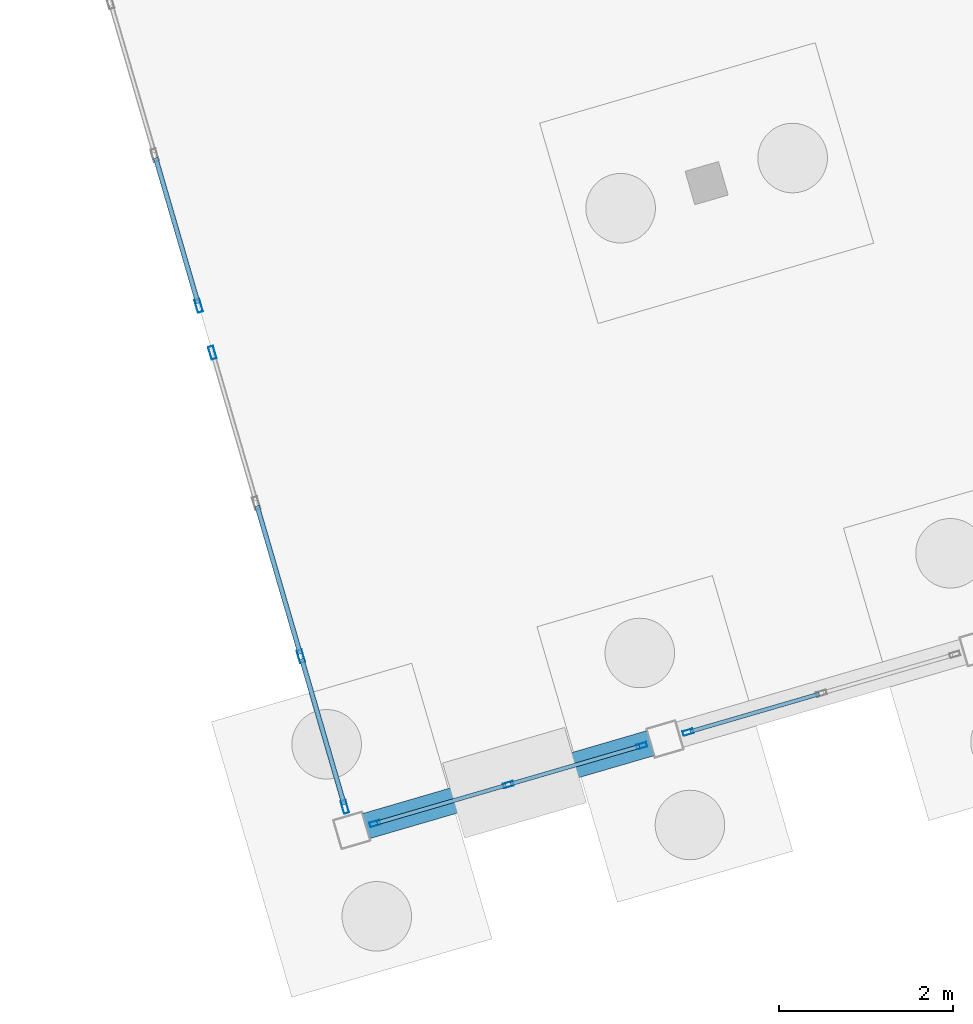
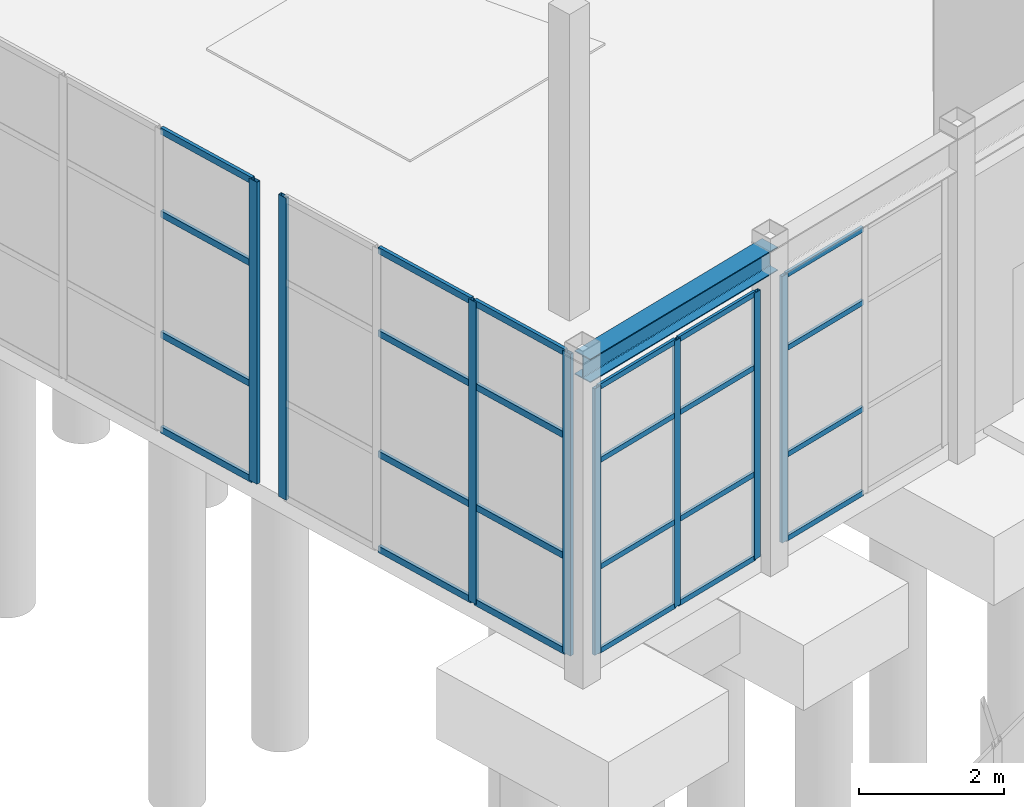
# One storey, part 25 of 90: 32 members, 1 beam, 4 elements without a shape of their own.
"""IFC4 building model written with IfcOpenShell, lengths in metres."""

from ifc_helpers import new_model, si_unit, direction, frame, origin, origin_2d, place, context, subcontext, project, spatial, hollow_rectangle, i_section, extrude, material, layer, layer_set, material_profile, profile_set, type_object, element, aggregate, save


model = new_model("IFC4")

# Units and contexts
model_context = context("Model", 3, precision=1e-05, world=origin(), true_north=direction((0.0, 1.0)))
body_context = subcontext(model_context, "Body", "Model", "MODEL_VIEW")
ifc_project = project(units=[si_unit("LENGTHUNIT", "METRE"), si_unit("AREAUNIT", "SQUARE_METRE"), si_unit("VOLUMEUNIT", "CUBIC_METRE"), si_unit("PLANEANGLEUNIT", "RADIAN"), si_unit("MASSUNIT", "GRAM", prefix="KILO")], contexts=[model_context])

# Site, building, storey
site_placement = place(None, origin())
site = spatial("IfcSite", under=ifc_project, at=site_placement, CompositionType="ELEMENT")
building_placement = place(site_placement, origin())
building = spatial("IfcBuilding", under=site, at=building_placement, Name="Canggui Botanical Conservatory", CompositionType="ELEMENT")
storey_placement = place(building_placement, origin())
storey = spatial("IfcBuildingStorey", under=building, at=storey_placement, Name="L01", CompositionType="ELEMENT", Elevation=0.0)

# Beam
ifc_material_1 = material(Name="Steel Q355B", Category="steel")
ifc_material_profile_1 = material_profile(ifc_material_1, i_section(OverallWidth=0.300048828125, OverallDepth=0.39990234375, WebThickness=0.010009765625, FlangeThickness=0.01611328125, FilletRadius=0.02197265625, at=origin_2d()), Name="HM 400x300x10x16")
ifc_profile_set_1 = profile_set([ifc_material_profile_1], Name="Steel Q355B")
beam_type = type_object("IfcBeamType", Name="BM-GL03", PredefinedType="BEAM", material=ifc_profile_set_1)
beam_placement = place(storey_placement, frame((20.0, 42.0, 4.97509765625), z_axis=(0.959998541695, 0.280004999853, 0.0), x_axis=(-0.280004999853, 0.959998541695, 0.0)))
element("IfcBeam", 1, at=beam_placement, inside=storey, type_object=beam_type, Name="Conservatory Skywalk Perimeter Girder V0-01", PredefinedType="BEAM", context=body_context, shape_type="SweptSolid", body=[
    extrude(i_section(OverallWidth=0.300048828125, OverallDepth=0.39990234375, WebThickness=0.010009765625, FlangeThickness=0.01611328125, FilletRadius=0.02197265625, at=origin_2d()), origin(), (0.0, 0.0, 1.0), 3.75),
])

# Curtain wall, members
ifc_material_2 = material(Name="Thermally Broken Aluminium", Category="aluminium")
ifc_layer_1 = layer(ifc_material_2, 0.14990234375, Name="Thermally Broken Aluminium", Category="aluminium")
ifc_layer_set_1 = layer_set([ifc_layer_1], Name="Thermally Broken Aluminium")
curtain_wall_type_1 = type_object("IfcCurtainWallType", Name="CW-UNIT-C", PredefinedType="USERDEFINED", material=ifc_layer_set_1)
curtain_wall_1_placement = place(storey_placement, origin())
curtain_wall_1 = element("IfcCurtainWall", 2, at=curtain_wall_1_placement, inside=storey, type_object=curtain_wall_type_1, Name="Facade Curtain Wall CW-CONS-GABLE-S-01", ObjectType="UNITISED CURTAIN WALL", PredefinedType="USERDEFINED")
ifc_material_profile_2 = material_profile(ifc_material_2, hollow_rectangle(XDim=0.06005859375, YDim=0.14990234375, WallThickness=0.00341796875, at=origin_2d()), Name="CWM 60x150x3.5")
ifc_profile_set_2 = profile_set([ifc_material_profile_2], Name="Thermally Broken Aluminium")
member_type_1 = type_object("IfcMemberType", Name="CWM-03", PredefinedType="MULLION", material=ifc_profile_set_2)
member_1_placement = place(storey_placement, frame((19.921630859375, 42.268798828125, 0.0), z_axis=(0.0, 0.0, 1.0), x_axis=(-0.960000000002, -0.279999999995, 0.0)))
member_1 = element("IfcMember", 3, at=member_1_placement, type_object=member_type_1, Name="CW-03 mullion 1", PredefinedType="MULLION", context=body_context, shape_type="SweptSolid", body=[
    extrude(hollow_rectangle(XDim=0.06005859375, YDim=0.14990234375, WallThickness=0.00341796875, at=origin_2d()), origin(), (0.0, 0.0, 1.0), 5.10009765625),
])
member_2_placement = place(storey_placement, frame((19.416748046875, 44.0, 0.0), z_axis=(0.0, 0.0, 1.0), x_axis=(-0.960000000002, -0.279999999995, 0.0)))
member_2 = element("IfcMember", 4, at=member_2_placement, type_object=member_type_1, Name="CW-03 mullion 2", PredefinedType="MULLION", context=body_context, shape_type="SweptSolid", body=[
    extrude(hollow_rectangle(XDim=0.06005859375, YDim=0.14990234375, WallThickness=0.00341796875, at=origin_2d()), origin(), (0.0, 0.0, 1.0), 5.10009765625),
])
member_3_placement = place(storey_placement, frame((18.3984375, 47.4912109375, 0.0), z_axis=(0.0, 0.0, 1.0), x_axis=(-0.960000000002, -0.279999999995, 0.0)))
member_3 = element("IfcMember", 5, at=member_3_placement, type_object=member_type_1, Name="CW-03 mullion 4", PredefinedType="MULLION", context=body_context, shape_type="SweptSolid", body=[
    extrude(hollow_rectangle(XDim=0.06005859375, YDim=0.14990234375, WallThickness=0.00341796875, at=origin_2d()), origin(), (0.0, 0.0, 1.0), 5.10009765625),
])

# Curtain wall, member
curtain_wall_2_placement = place(storey_placement, origin())
curtain_wall_2 = element("IfcCurtainWall", 6, at=curtain_wall_2_placement, inside=storey, type_object=curtain_wall_type_1, Name="Facade Curtain Wall CW-CONS-GABLE-S-02", ObjectType="UNITISED CURTAIN WALL", PredefinedType="USERDEFINED")
member_4_placement = place(storey_placement, frame((18.24169921875, 48.02880859375, 0.0), z_axis=(0.0, 0.0, 1.0), x_axis=(-0.960000000002, -0.279999999995, 0.0)))
member_4 = element("IfcMember", 7, at=member_4_placement, type_object=member_type_1, Name="CW-03 mullion 1", PredefinedType="MULLION", context=body_context, shape_type="SweptSolid", body=[
    extrude(hollow_rectangle(XDim=0.06005859375, YDim=0.14990234375, WallThickness=0.00341796875, at=origin_2d()), origin(), (0.0, 0.0, 1.0), 5.10009765625),
])

# Curtain wall, members
ifc_layer_2 = layer(ifc_material_2, 0.1201171875, Name="Thermally Broken Aluminium", Category="aluminium")
ifc_layer_set_2 = layer_set([ifc_layer_2], Name="Thermally Broken Aluminium")
curtain_wall_type_2 = type_object("IfcCurtainWallType", Name="CW-STICK-B", PredefinedType="USERDEFINED", material=ifc_layer_set_2)
curtain_wall_3_placement = place(storey_placement, origin())
curtain_wall_3 = element("IfcCurtainWall", 8, at=curtain_wall_3_placement, inside=storey, type_object=curtain_wall_type_2, Name="Facade Curtain Wall CW-CONS-L01-V0-01", ObjectType="STICK GLAZED WALL", PredefinedType="USERDEFINED")
ifc_material_profile_3 = material_profile(ifc_material_2, hollow_rectangle(XDim=0.054931640625, YDim=0.1201171875, WallThickness=0.0029296875, at=origin_2d()), Name="CWM 55x120x3")
ifc_profile_set_3 = profile_set([ifc_material_profile_3], Name="Thermally Broken Aluminium")
member_type_2 = type_object("IfcMemberType", Name="CWM-05", PredefinedType="MULLION", material=ifc_profile_set_3)
member_5_placement = place(storey_placement, frame((23.33349609375, 42.972412109375, 0.0), z_axis=(0.0, 0.0, 1.0), x_axis=(0.279999999995, -0.960000000002, 0.0)))
member_5 = element("IfcMember", 9, at=member_5_placement, type_object=member_type_2, Name="CW-05 mullion 1", PredefinedType="MULLION", context=body_context, shape_type="SweptSolid", body=[
    extrude(hollow_rectangle(XDim=0.054931640625, YDim=0.1201171875, WallThickness=0.0029296875, at=origin_2d()), origin(), (0.0, 0.0, 1.0), 4.5),
])
member_6_placement = place(storey_placement, frame((21.800048828125, 42.52490234375, 0.0), z_axis=(0.0, 0.0, 1.0), x_axis=(0.279999999995, -0.960000000002, 0.0)))
member_6 = element("IfcMember", 10, at=member_6_placement, type_object=member_type_2, Name="CW-05 mullion 2", PredefinedType="MULLION", context=body_context, shape_type="SweptSolid", body=[
    extrude(hollow_rectangle(XDim=0.054931640625, YDim=0.1201171875, WallThickness=0.0029296875, at=origin_2d()), origin(), (0.0, 0.0, 1.0), 4.5),
])
member_7_placement = place(storey_placement, frame((20.266357421875, 42.07763671875, 0.0), z_axis=(0.0, 0.0, 1.0), x_axis=(0.279999999995, -0.960000000002, 0.0)))
member_7 = element("IfcMember", 11, at=member_7_placement, type_object=member_type_2, Name="CW-05 mullion 3", PredefinedType="MULLION", context=body_context, shape_type="SweptSolid", body=[
    extrude(hollow_rectangle(XDim=0.054931640625, YDim=0.1201171875, WallThickness=0.0029296875, at=origin_2d()), origin(), (0.0, 0.0, 1.0), 4.5),
])

# Curtain wall, member
curtain_wall_4_placement = place(storey_placement, origin())
curtain_wall_4 = element("IfcCurtainWall", 12, at=curtain_wall_4_placement, inside=storey, type_object=curtain_wall_type_2, Name="Facade Curtain Wall CW-CONS-L01-V0-02", ObjectType="STICK GLAZED WALL", PredefinedType="USERDEFINED")
member_8_placement = place(storey_placement, frame((23.866455078125, 43.127685546875, 0.0), z_axis=(0.0, 0.0, 1.0), x_axis=(0.279999999995, -0.960000000002, 0.0)))
member_8 = element("IfcMember", 13, at=member_8_placement, type_object=member_type_2, Name="CW-05 mullion 3", PredefinedType="MULLION", context=body_context, shape_type="SweptSolid", body=[
    extrude(hollow_rectangle(XDim=0.054931640625, YDim=0.1201171875, WallThickness=0.0029296875, at=origin_2d()), origin(), (0.0, 0.0, 1.0), 4.5),
])

# Member
ifc_material_profile_4 = material_profile(ifc_material_2, hollow_rectangle(XDim=0.054931640625, YDim=0.110107421875, WallThickness=0.0029296875, at=origin_2d()), Name="CWT 55x110x3")
ifc_profile_set_4 = profile_set([ifc_material_profile_4], Name="Thermally Broken Aluminium")
member_type_3 = type_object("IfcMemberType", Name="CWT-03", PredefinedType="USERDEFINED", material=ifc_profile_set_4)
member_9_placement = place(storey_placement, frame((19.9130859375, 42.297607421875, 0.027587890625), z_axis=(-0.279951599808, 0.960014115399, 0.0), x_axis=(-0.960014115399, -0.279951599808, 0.0)))
member_9 = element("IfcMember", 14, at=member_9_placement, type_object=member_type_3, Name="CW-03 transom 1.1", ObjectType="TRANSOM", PredefinedType="USERDEFINED", context=body_context, shape_type="SweptSolid", body=[
    extrude(hollow_rectangle(XDim=0.054931640625, YDim=0.110107421875, WallThickness=0.0029296875, at=origin_2d()), origin(), (0.0, 0.0, 1.0), 1.743408203125),
])

member_10_placement = place(storey_placement, frame((19.9130859375, 42.297607421875, 1.632080078125), z_axis=(-0.279951599808, 0.960014115399, 0.0), x_axis=(-0.960014115399, -0.279951599808, 0.0)))
member_10 = element("IfcMember", 15, at=member_10_placement, type_object=member_type_3, Name="CW-03 transom 1.2", ObjectType="TRANSOM", PredefinedType="USERDEFINED", context=body_context, shape_type="SweptSolid", body=[
    extrude(hollow_rectangle(XDim=0.054931640625, YDim=0.110107421875, WallThickness=0.0029296875, at=origin_2d()), origin(), (0.0, 0.0, 1.0), 1.743408203125),
])

member_11_placement = place(storey_placement, frame((19.9130859375, 42.297607421875, 3.672119140625), z_axis=(-0.279951599808, 0.960014115399, 0.0), x_axis=(-0.960014115399, -0.279951599808, 0.0)))
member_11 = element("IfcMember", 16, at=member_11_placement, type_object=member_type_3, Name="CW-03 transom 1.3", ObjectType="TRANSOM", PredefinedType="USERDEFINED", context=body_context, shape_type="SweptSolid", body=[
    extrude(hollow_rectangle(XDim=0.054931640625, YDim=0.110107421875, WallThickness=0.0029296875, at=origin_2d()), origin(), (0.0, 0.0, 1.0), 1.743408203125),
])

member_12_placement = place(storey_placement, frame((19.9130859375, 42.297607421875, 5.072509765625), z_axis=(-0.279951599808, 0.960014115399, 0.0), x_axis=(-0.960014115399, -0.279951599808, 0.0)))
member_12 = element("IfcMember", 17, at=member_12_placement, type_object=member_type_3, Name="CW-03 transom 1.4", ObjectType="TRANSOM", PredefinedType="USERDEFINED", context=body_context, shape_type="SweptSolid", body=[
    extrude(hollow_rectangle(XDim=0.054931640625, YDim=0.110107421875, WallThickness=0.0029296875, at=origin_2d()), origin(), (0.0, 0.0, 1.0), 1.743408203125),
])

member_13_placement = place(storey_placement, frame((19.408203125, 44.02880859375, 0.027587890625), z_axis=(-0.280026433067, 0.95999228996, 0.0), x_axis=(-0.95999228996, -0.280026433067, 0.0)))
member_13 = element("IfcMember", 18, at=member_13_placement, type_object=member_type_3, Name="CW-03 transom 2.1", ObjectType="TRANSOM", PredefinedType="USERDEFINED", context=body_context, shape_type="SweptSolid", body=[
    extrude(hollow_rectangle(XDim=0.054931640625, YDim=0.110107421875, WallThickness=0.0029296875, at=origin_2d()), origin(), (0.0, 0.0, 1.0), 1.7734375),
])

member_14_placement = place(storey_placement, frame((19.408203125, 44.02880859375, 1.632080078125), z_axis=(-0.280026433067, 0.95999228996, 0.0), x_axis=(-0.95999228996, -0.280026433067, 0.0)))
member_14 = element("IfcMember", 19, at=member_14_placement, type_object=member_type_3, Name="CW-03 transom 2.2", ObjectType="TRANSOM", PredefinedType="USERDEFINED", context=body_context, shape_type="SweptSolid", body=[
    extrude(hollow_rectangle(XDim=0.054931640625, YDim=0.110107421875, WallThickness=0.0029296875, at=origin_2d()), origin(), (0.0, 0.0, 1.0), 1.7734375),
])

member_15_placement = place(storey_placement, frame((19.408203125, 44.02880859375, 3.672119140625), z_axis=(-0.280026433067, 0.95999228996, 0.0), x_axis=(-0.95999228996, -0.280026433067, 0.0)))
member_15 = element("IfcMember", 20, at=member_15_placement, type_object=member_type_3, Name="CW-03 transom 2.3", ObjectType="TRANSOM", PredefinedType="USERDEFINED", context=body_context, shape_type="SweptSolid", body=[
    extrude(hollow_rectangle(XDim=0.054931640625, YDim=0.110107421875, WallThickness=0.0029296875, at=origin_2d()), origin(), (0.0, 0.0, 1.0), 1.7734375),
])

member_16_placement = place(storey_placement, frame((19.408203125, 44.02880859375, 5.072509765625), z_axis=(-0.280026433067, 0.95999228996, 0.0), x_axis=(-0.95999228996, -0.280026433067, 0.0)))
member_16 = element("IfcMember", 21, at=member_16_placement, type_object=member_type_3, Name="CW-03 transom 2.4", ObjectType="TRANSOM", PredefinedType="USERDEFINED", context=body_context, shape_type="SweptSolid", body=[
    extrude(hollow_rectangle(XDim=0.054931640625, YDim=0.110107421875, WallThickness=0.0029296875, at=origin_2d()), origin(), (0.0, 0.0, 1.0), 1.7734375),
])

aggregate(curtain_wall_1, [member_1, member_2, member_3, member_9, member_10, member_11, member_12, member_13, member_14, member_15, member_16])

member_17_placement = place(storey_placement, frame((18.233154296875, 48.0576171875, 0.027587890625), z_axis=(-0.279951599808, 0.960014115399, 0.0), x_axis=(-0.960014115399, -0.279951599808, 0.0)))
member_17 = element("IfcMember", 22, at=member_17_placement, type_object=member_type_3, Name="CW-03 transom 1.1", ObjectType="TRANSOM", PredefinedType="USERDEFINED", context=body_context, shape_type="SweptSolid", body=[
    extrude(hollow_rectangle(XDim=0.054931640625, YDim=0.110107421875, WallThickness=0.0029296875, at=origin_2d()), origin(), (0.0, 0.0, 1.0), 1.743408203125),
])

member_18_placement = place(storey_placement, frame((18.233154296875, 48.0576171875, 1.632080078125), z_axis=(-0.279951599808, 0.960014115399, 0.0), x_axis=(-0.960014115399, -0.279951599808, 0.0)))
member_18 = element("IfcMember", 23, at=member_18_placement, type_object=member_type_3, Name="CW-03 transom 1.2", ObjectType="TRANSOM", PredefinedType="USERDEFINED", context=body_context, shape_type="SweptSolid", body=[
    extrude(hollow_rectangle(XDim=0.054931640625, YDim=0.110107421875, WallThickness=0.0029296875, at=origin_2d()), origin(), (0.0, 0.0, 1.0), 1.743408203125),
])

member_19_placement = place(storey_placement, frame((18.233154296875, 48.0576171875, 3.672119140625), z_axis=(-0.279951599808, 0.960014115399, 0.0), x_axis=(-0.960014115399, -0.279951599808, 0.0)))
member_19 = element("IfcMember", 24, at=member_19_placement, type_object=member_type_3, Name="CW-03 transom 1.3", ObjectType="TRANSOM", PredefinedType="USERDEFINED", context=body_context, shape_type="SweptSolid", body=[
    extrude(hollow_rectangle(XDim=0.054931640625, YDim=0.110107421875, WallThickness=0.0029296875, at=origin_2d()), origin(), (0.0, 0.0, 1.0), 1.743408203125),
])

member_20_placement = place(storey_placement, frame((18.233154296875, 48.0576171875, 5.072509765625), z_axis=(-0.279951599808, 0.960014115399, 0.0), x_axis=(-0.960014115399, -0.279951599808, 0.0)))
member_20 = element("IfcMember", 25, at=member_20_placement, type_object=member_type_3, Name="CW-03 transom 1.4", ObjectType="TRANSOM", PredefinedType="USERDEFINED", context=body_context, shape_type="SweptSolid", body=[
    extrude(hollow_rectangle(XDim=0.054931640625, YDim=0.110107421875, WallThickness=0.0029296875, at=origin_2d()), origin(), (0.0, 0.0, 1.0), 1.743408203125),
])

aggregate(curtain_wall_2, [member_4, member_17, member_18, member_19, member_20])

ifc_material_profile_5 = material_profile(ifc_material_2, hollow_rectangle(XDim=0.044921875, YDim=0.090087890625, WallThickness=0.0029296875, at=origin_2d()), Name="CWT 45x90x3")
ifc_profile_set_5 = profile_set([ifc_material_profile_5], Name="Thermally Broken Aluminium")
member_type_4 = type_object("IfcMemberType", Name="CWT-05", PredefinedType="USERDEFINED", material=ifc_profile_set_5)
member_21_placement = place(storey_placement, frame((23.30712890625, 42.964599609375, 0.0224609375), z_axis=(-0.959998227189, -0.280006078137, 0.0), x_axis=(0.280006078137, -0.959998227189, 0.0)))
member_21 = element("IfcMember", 26, at=member_21_placement, type_object=member_type_4, Name="CW-05 transom 1.1", ObjectType="TRANSOM", PredefinedType="USERDEFINED", context=body_context, shape_type="SweptSolid", body=[
    extrude(hollow_rectangle(XDim=0.044921875, YDim=0.090087890625, WallThickness=0.0029296875, at=origin_2d()), origin(), (0.0, 0.0, 1.0), 1.54248046875),
])

member_22_placement = place(storey_placement, frame((23.30712890625, 42.964599609375, 1.43994140625), z_axis=(-0.959998227189, -0.280006078137, 0.0), x_axis=(0.280006078137, -0.959998227189, 0.0)))
member_22 = element("IfcMember", 27, at=member_22_placement, type_object=member_type_4, Name="CW-05 transom 1.2", ObjectType="TRANSOM", PredefinedType="USERDEFINED", context=body_context, shape_type="SweptSolid", body=[
    extrude(hollow_rectangle(XDim=0.044921875, YDim=0.090087890625, WallThickness=0.0029296875, at=origin_2d()), origin(), (0.0, 0.0, 1.0), 1.54248046875),
])

member_23_placement = place(storey_placement, frame((23.30712890625, 42.964599609375, 3.239990234375), z_axis=(-0.959998227189, -0.280006078137, 0.0), x_axis=(0.280006078137, -0.959998227189, 0.0)))
member_23 = element("IfcMember", 28, at=member_23_placement, type_object=member_type_4, Name="CW-05 transom 1.3", ObjectType="TRANSOM", PredefinedType="USERDEFINED", context=body_context, shape_type="SweptSolid", body=[
    extrude(hollow_rectangle(XDim=0.044921875, YDim=0.090087890625, WallThickness=0.0029296875, at=origin_2d()), origin(), (0.0, 0.0, 1.0), 1.54248046875),
])

member_24_placement = place(storey_placement, frame((23.30712890625, 42.964599609375, 4.4775390625), z_axis=(-0.959998227189, -0.280006078137, 0.0), x_axis=(0.280006078137, -0.959998227189, 0.0)))
member_24 = element("IfcMember", 29, at=member_24_placement, type_object=member_type_4, Name="CW-05 transom 1.4", ObjectType="TRANSOM", PredefinedType="USERDEFINED", context=body_context, shape_type="SweptSolid", body=[
    extrude(hollow_rectangle(XDim=0.044921875, YDim=0.090087890625, WallThickness=0.0029296875, at=origin_2d()), origin(), (0.0, 0.0, 1.0), 1.54248046875),
])

member_25_placement = place(storey_placement, frame((21.773681640625, 42.517333984375, 0.0224609375), z_axis=(-0.96001063444, -0.279963536486, 0.0), x_axis=(0.279963536486, -0.96001063444, 0.0)))
member_25 = element("IfcMember", 30, at=member_25_placement, type_object=member_type_4, Name="CW-05 transom 2.1", ObjectType="TRANSOM", PredefinedType="USERDEFINED", context=body_context, shape_type="SweptSolid", body=[
    extrude(hollow_rectangle(XDim=0.044921875, YDim=0.090087890625, WallThickness=0.0029296875, at=origin_2d()), origin(), (0.0, 0.0, 1.0), 1.542724609375),
])

member_26_placement = place(storey_placement, frame((21.773681640625, 42.517333984375, 1.43994140625), z_axis=(-0.96001063444, -0.279963536486, 0.0), x_axis=(0.279963536486, -0.96001063444, 0.0)))
member_26 = element("IfcMember", 31, at=member_26_placement, type_object=member_type_4, Name="CW-05 transom 2.2", ObjectType="TRANSOM", PredefinedType="USERDEFINED", context=body_context, shape_type="SweptSolid", body=[
    extrude(hollow_rectangle(XDim=0.044921875, YDim=0.090087890625, WallThickness=0.0029296875, at=origin_2d()), origin(), (0.0, 0.0, 1.0), 1.542724609375),
])

member_27_placement = place(storey_placement, frame((21.773681640625, 42.517333984375, 3.239990234375), z_axis=(-0.96001063444, -0.279963536486, 0.0), x_axis=(0.279963536486, -0.96001063444, 0.0)))
member_27 = element("IfcMember", 32, at=member_27_placement, type_object=member_type_4, Name="CW-05 transom 2.3", ObjectType="TRANSOM", PredefinedType="USERDEFINED", context=body_context, shape_type="SweptSolid", body=[
    extrude(hollow_rectangle(XDim=0.044921875, YDim=0.090087890625, WallThickness=0.0029296875, at=origin_2d()), origin(), (0.0, 0.0, 1.0), 1.542724609375),
])

member_28_placement = place(storey_placement, frame((21.773681640625, 42.517333984375, 4.4775390625), z_axis=(-0.96001063444, -0.279963536486, 0.0), x_axis=(0.279963536486, -0.96001063444, 0.0)))
member_28 = element("IfcMember", 33, at=member_28_placement, type_object=member_type_4, Name="CW-05 transom 2.4", ObjectType="TRANSOM", PredefinedType="USERDEFINED", context=body_context, shape_type="SweptSolid", body=[
    extrude(hollow_rectangle(XDim=0.044921875, YDim=0.090087890625, WallThickness=0.0029296875, at=origin_2d()), origin(), (0.0, 0.0, 1.0), 1.542724609375),
])

aggregate(curtain_wall_3, [member_5, member_6, member_7, member_21, member_22, member_23, member_24, member_25, member_26, member_27, member_28])

member_29_placement = place(storey_placement, frame((25.37353515625, 43.5673828125, 0.0224609375), z_axis=(-0.959998227189, -0.280006078137, 0.0), x_axis=(0.280006078137, -0.959998227189, 0.0)))
member_29 = element("IfcMember", 34, at=member_29_placement, type_object=member_type_4, Name="CW-05 transom 2.1", ObjectType="TRANSOM", PredefinedType="USERDEFINED", context=body_context, shape_type="SweptSolid", body=[
    extrude(hollow_rectangle(XDim=0.044921875, YDim=0.090087890625, WallThickness=0.0029296875, at=origin_2d()), origin(), (0.0, 0.0, 1.0), 1.54248046875),
])

member_30_placement = place(storey_placement, frame((25.37353515625, 43.5673828125, 1.43994140625), z_axis=(-0.959998227189, -0.280006078137, 0.0), x_axis=(0.280006078137, -0.959998227189, 0.0)))
member_30 = element("IfcMember", 35, at=member_30_placement, type_object=member_type_4, Name="CW-05 transom 2.2", ObjectType="TRANSOM", PredefinedType="USERDEFINED", context=body_context, shape_type="SweptSolid", body=[
    extrude(hollow_rectangle(XDim=0.044921875, YDim=0.090087890625, WallThickness=0.0029296875, at=origin_2d()), origin(), (0.0, 0.0, 1.0), 1.54248046875),
])

member_31_placement = place(storey_placement, frame((25.37353515625, 43.5673828125, 3.239990234375), z_axis=(-0.959998227189, -0.280006078137, 0.0), x_axis=(0.280006078137, -0.959998227189, 0.0)))
member_31 = element("IfcMember", 36, at=member_31_placement, type_object=member_type_4, Name="CW-05 transom 2.3", ObjectType="TRANSOM", PredefinedType="USERDEFINED", context=body_context, shape_type="SweptSolid", body=[
    extrude(hollow_rectangle(XDim=0.044921875, YDim=0.090087890625, WallThickness=0.0029296875, at=origin_2d()), origin(), (0.0, 0.0, 1.0), 1.54248046875),
])

member_32_placement = place(storey_placement, frame((25.37353515625, 43.5673828125, 4.4775390625), z_axis=(-0.959998227189, -0.280006078137, 0.0), x_axis=(0.280006078137, -0.959998227189, 0.0)))
member_32 = element("IfcMember", 37, at=member_32_placement, type_object=member_type_4, Name="CW-05 transom 2.4", ObjectType="TRANSOM", PredefinedType="USERDEFINED", context=body_context, shape_type="SweptSolid", body=[
    extrude(hollow_rectangle(XDim=0.044921875, YDim=0.090087890625, WallThickness=0.0029296875, at=origin_2d()), origin(), (0.0, 0.0, 1.0), 1.54248046875),
])

aggregate(curtain_wall_4, [member_8, member_29, member_30, member_31, member_32])

save(model, "model.ifc")
